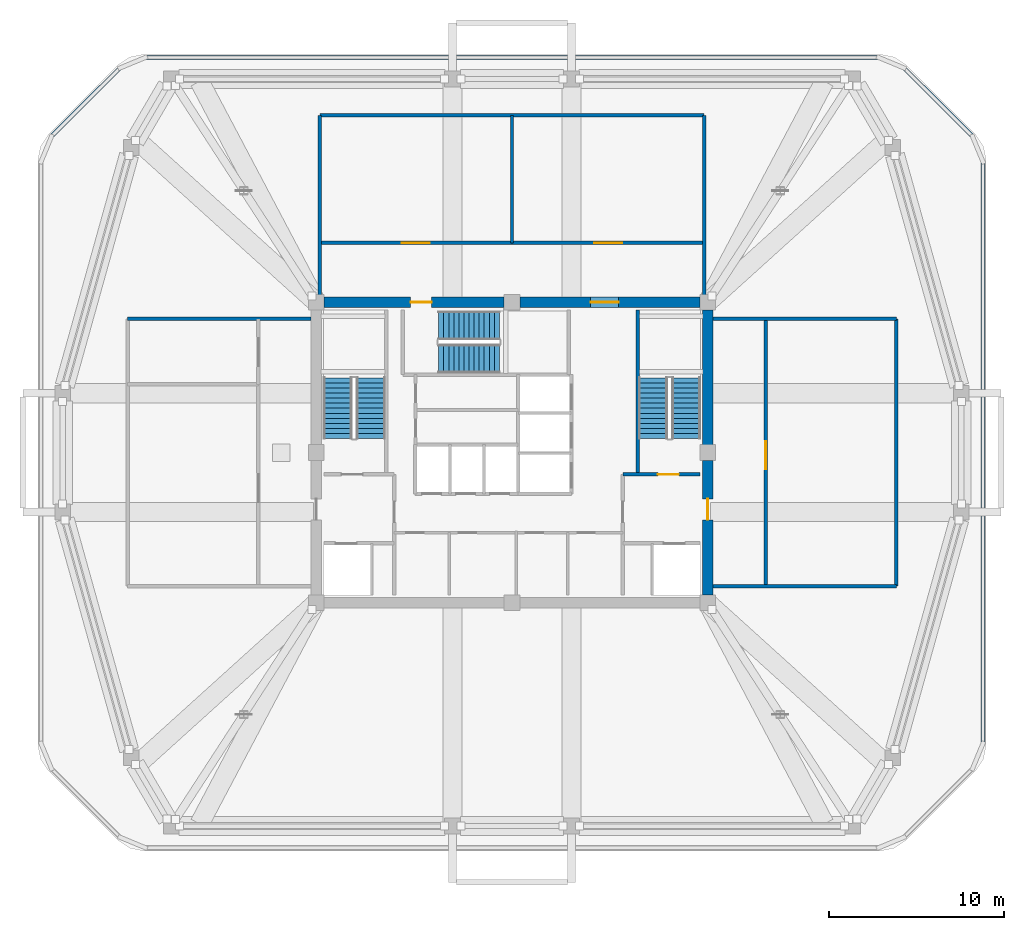
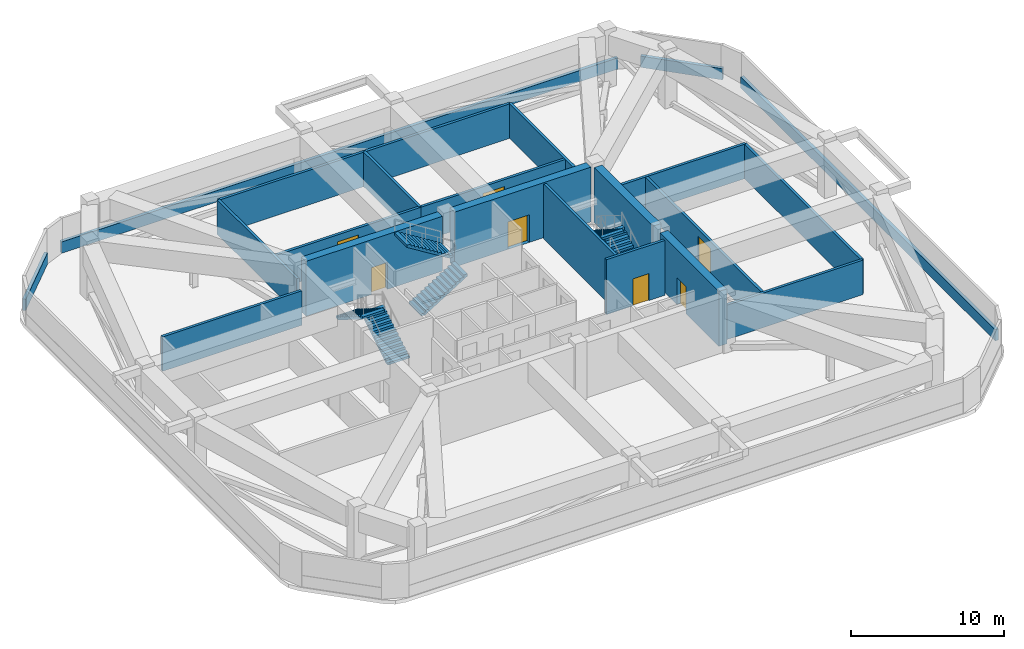
# One storey, part 5 of 9: 21 walls, 7 doors, 6 stair flights, 7 openings, 3 elements without a shape of their own.
"""IFC4 building model written with IfcOpenShell, lengths in metres."""

from ifc_helpers import new_model, si_unit, derived_unit, direction, frame, frame_2d, origin, place, context, subcontext, project, spatial, polyline, rectangle, outline, extrude, material, layer, layer_set, type_object, element, fill, aggregate, save


model = new_model("IFC4")

# Units and contexts
model_context = context("Model", 3, precision=1e-05, world=origin(), true_north=direction((0.0, 1.0)))
body_context = subcontext(model_context, "Body", "Model", "MODEL_VIEW")
ifc_project = project(units=[si_unit("LENGTHUNIT", "METRE"), si_unit("AREAUNIT", "SQUARE_METRE"), si_unit("VOLUMEUNIT", "CUBIC_METRE"), si_unit("PLANEANGLEUNIT", "RADIAN"), si_unit("MASSUNIT", "GRAM", prefix="KILO"), derived_unit("THERMALTRANSMITTANCEUNIT", [(si_unit("POWERUNIT", "WATT"), 1), (si_unit("LENGTHUNIT", "METRE"), -2), (si_unit("THERMODYNAMICTEMPERATUREUNIT", "KELVIN"), -1)])], contexts=[model_context])

# Site, building, storey
site_placement = place(None, origin())
site = spatial("IfcSite", under=ifc_project, at=site_placement, CompositionType="ELEMENT")
building_placement = place(site_placement, origin())
building = spatial("IfcBuilding", under=site, at=building_placement, Name="Koralith Skygarden Medical Center", CompositionType="ELEMENT")
storey_placement = place(building_placement, frame((0.0, 0.0, 232.3798828125)))
storey = spatial("IfcBuildingStorey", under=building, at=storey_placement, Name="L60", CompositionType="ELEMENT", Elevation=232.3798828125)

# Walls
ifc_material_1 = material(Name="Gypsum Board Partition")
ifc_layer_1 = layer(ifc_material_1, 0.199951171875)
ifc_layer_set_1 = layer_set([ifc_layer_1], Name="Gypsum Board Partition")
wall_type_1 = type_object("IfcWallType", Name="Fire Shaft Wall 200", PredefinedType="SOLIDWALL", material=ifc_layer_set_1)
for number, where, z_axis, x_axis, name in (
    (1, (26.0, 34.800048828125, 0.0), (0.0, 0.0, 1.0), (0.0, 1.0, 0.0), "L60 Fire Shaft Wall 200 W-PL-L60-NC-W"),
    (2, (48.0, 34.800048828125, 0.0), (0.0, 0.0, 1.0), (0.0, 1.0, 0.0), "L60 Fire Shaft Wall 200 W-PL-L60-NC-E"),
):
    element("IfcWall", number, at=place(storey_placement, frame(where, z_axis=z_axis, x_axis=x_axis)), inside=storey, type_object=wall_type_1, Name=name, PredefinedType="SOLIDWALL", context=body_context, shape_type="SweptSolid", body=[
        extrude(rectangle(XDim=10.39990234375, YDim=0.199951171875, at=frame_2d((5.199951171875, 0.0))), origin(), (0.0, 0.0, 1.0), 2.75),
    ])
wall_1_placement = place(storey_placement, frame((26.0, 45.199951171875, 0.0), z_axis=(0.0, 0.0, 1.0), x_axis=(1.0, 0.0, 0.0)))
element("IfcWall", 3, at=wall_1_placement, inside=storey, type_object=wall_type_1, Name="L60 Fire Shaft Wall 200 W-PL-L60-NP-N", PredefinedType="SOLIDWALL", context=body_context, shape_type="SweptSolid", body=[
    extrude(rectangle(XDim=22.0, YDim=0.199951171875, at=frame_2d((11.0, 0.0))), origin(), (0.0, 0.0, 1.0), 2.75),
])
wall_2_placement = place(storey_placement, frame((37.0, 37.89990234375, 0.0), z_axis=(0.0, 0.0, 1.0), x_axis=(0.0, 1.0, 0.0)))
element("IfcWall", 4, at=wall_2_placement, inside=storey, type_object=wall_type_1, Name="L60 Fire Shaft Wall 200 W-PL-L60-NP-M", PredefinedType="SOLIDWALL", context=body_context, shape_type="SweptSolid", body=[
    extrude(rectangle(XDim=7.300048828125, YDim=0.199951171875, at=frame_2d((3.64990234375, 0.0))), origin(), (0.0, 0.0, 1.0), 2.75),
])

# Wall, opening, door
wall_3_placement = place(storey_placement, frame((26.0, 37.89990234375, 0.0), z_axis=(0.0, 0.0, 1.0), x_axis=(1.0, 0.0, 0.0)))
wall_3 = element("IfcWall", 5, at=wall_3_placement, inside=storey, type_object=wall_type_1, Name="L60 Fire Shaft Wall 200 W-PL-L60-NC-N1", PredefinedType="SOLIDWALL", context=body_context, shape_type="SweptSolid", body=[
    extrude(rectangle(XDim=11.0, YDim=0.199951171875, at=frame_2d((5.5, 0.0))), origin(), (0.0, 0.0, 1.0), 2.75),
])
opening_1_placement = place(wall_3_placement, frame((4.699951171875, 0.0, 0.0)))
opening_1 = element("IfcOpeningElement", 6, at=opening_1_placement, cuts=wall_3, Name="Opening D-DBL", PredefinedType="OPENING", context=body_context, shape_type="SweptSolid", body=[
    extrude(rectangle(XDim=1.60009765625, YDim=2.199951171875, at=frame_2d((0.800048828125, 1.10009765625))), frame((0.0, 0.10986328125, 0.0), z_axis=(0.0, -1.0, 0.0), x_axis=(1.0, 0.0, 0.0)), (0.0, 0.0, 1.0), 0.219970703125),
])
ifc_material_2 = material(Name="Aluminium 6063-T6", Category="aluminium")
door_type_1 = type_object("IfcDoorType", Name="Double Clinical Suite Door D-DBL 1600", OperationType="NOTDEFINED", PredefinedType="DOOR", material=ifc_material_2)
door_1_placement = place(opening_1_placement, origin())
door_1 = element("IfcDoor", 7, at=door_1_placement, inside=storey, type_object=door_type_1, Name="L60 Central Chiller and Heat Rejection Plant Room Fire Door", OperationType="DOUBLE_DOOR_SINGLE_SWING", OverallHeight=2.199951171875, OverallWidth=1.60009765625, PredefinedType="DOOR", context=body_context, shape_type="SweptSolid", body=[
    extrude(rectangle(XDim=1.60009765625, YDim=2.199951171875, at=frame_2d((0.800048828125, 1.10009765625))), frame((0.0, 0.02490234375, 0.0), z_axis=(0.0, -1.0, 0.0), x_axis=(1.0, 0.0, 0.0)), (0.0, 0.0, 1.0), 0.050048828125),
])
fill(opening_1, door_1)

wall_4_placement = place(storey_placement, frame((37.0, 37.89990234375, 0.0), z_axis=(0.0, 0.0, 1.0), x_axis=(1.0, 0.0, 0.0)))
wall_4 = element("IfcWall", 8, at=wall_4_placement, inside=storey, type_object=wall_type_1, Name="L60 Fire Shaft Wall 200 W-PL-L60-NC-N2", PredefinedType="SOLIDWALL", context=body_context, shape_type="SweptSolid", body=[
    extrude(rectangle(XDim=11.0, YDim=0.199951171875, at=frame_2d((5.5, 0.0))), origin(), (0.0, 0.0, 1.0), 2.75),
])
opening_2_placement = place(wall_4_placement, frame((4.699951171875, 0.0, 0.0)))
opening_2 = element("IfcOpeningElement", 9, at=opening_2_placement, cuts=wall_4, Name="Opening D-DBL", PredefinedType="OPENING", context=body_context, shape_type="SweptSolid", body=[
    extrude(rectangle(XDim=1.60009765625, YDim=2.199951171875, at=frame_2d((0.800048828125, 1.10009765625))), frame((0.0, 0.10986328125, 0.0), z_axis=(0.0, -1.0, 0.0), x_axis=(1.0, 0.0, 0.0)), (0.0, 0.0, 1.0), 0.219970703125),
])
door_2_placement = place(opening_2_placement, origin())
door_2 = element("IfcDoor", 10, at=door_2_placement, inside=storey, type_object=door_type_1, Name="L60 Clinical AHU and Essential Switchgear Plant Room Fire Door", OperationType="DOUBLE_DOOR_SINGLE_SWING", OverallHeight=2.199951171875, OverallWidth=1.60009765625, PredefinedType="DOOR", context=body_context, shape_type="SweptSolid", body=[
    extrude(rectangle(XDim=1.60009765625, YDim=2.199951171875, at=frame_2d((0.800048828125, 1.10009765625))), frame((0.0, 0.02490234375, 0.0), z_axis=(0.0, -1.0, 0.0), x_axis=(1.0, 0.0, 0.0)), (0.0, 0.0, 1.0), 0.050048828125),
])
fill(opening_2, door_2)

# Walls
for number, where, z_axis, x_axis, name in (
    (11, (15.0, 33.550048828125, 0.0), (0.0, 0.0, 1.0), (1.0, 0.0, 0.0), "L60 Fire Shaft Wall 200 W-PL-L60-WC-N"),
    (12, (48.5, 18.25, 0.0), (0.0, 0.0, 1.0), (1.0, 0.0, 0.0), "L60 Fire Shaft Wall 200 W-PL-L60-EC-S"),
    (13, (48.5, 33.550048828125, 0.0), (0.0, 0.0, 1.0), (1.0, 0.0, 0.0), "L60 Fire Shaft Wall 200 W-PL-L60-EC-N"),
):
    element("IfcWall", number, at=place(storey_placement, frame(where, z_axis=z_axis, x_axis=x_axis)), inside=storey, type_object=wall_type_1, Name=name, PredefinedType="SOLIDWALL", context=body_context, shape_type="SweptSolid", body=[
        extrude(rectangle(XDim=10.5, YDim=0.199951171875, at=frame_2d((5.25, 0.0))), origin(), (0.0, 0.0, 1.0), 2.75),
    ])
wall_5_placement = place(storey_placement, frame((59.0, 18.25, 0.0), z_axis=(0.0, 0.0, 1.0), x_axis=(0.0, 1.0, 0.0)))
element("IfcWall", 14, at=wall_5_placement, inside=storey, type_object=wall_type_1, Name="L60 Fire Shaft Wall 200 W-PL-L60-EP-E", PredefinedType="SOLIDWALL", context=body_context, shape_type="SweptSolid", body=[
    extrude(rectangle(XDim=15.300048828125, YDim=0.199951171875, at=frame_2d((7.64990234375, 0.0))), origin(), (0.0, 0.0, 1.0), 2.75),
])

# Wall, opening, door
wall_6_placement = place(storey_placement, frame((51.52001953125, 18.25, 0.0), z_axis=(0.0, 0.0, 1.0), x_axis=(0.0, 1.0, 0.0)))
wall_6 = element("IfcWall", 15, at=wall_6_placement, inside=storey, type_object=wall_type_1, Name="L60 Fire Shaft Wall 200 W-PL-L60-EC-E1", PredefinedType="SOLIDWALL", context=body_context, shape_type="SweptSolid", body=[
    extrude(rectangle(XDim=15.300048828125, YDim=0.199951171875, at=frame_2d((7.64990234375, 0.0))), origin(), (0.0, 0.0, 1.0), 2.75),
])
opening_3_placement = place(wall_6_placement, frame((6.699951171875, 0.0, 0.0)))
opening_3 = element("IfcOpeningElement", 16, at=opening_3_placement, cuts=wall_6, Name="Opening D-DBL", PredefinedType="OPENING", context=body_context, shape_type="SweptSolid", body=[
    extrude(rectangle(XDim=1.60009765625, YDim=2.199951171875, at=frame_2d((0.800048828125, 1.10009765625))), frame((0.0, 0.10986328125, 0.0), z_axis=(0.0, -1.0, 0.0), x_axis=(1.0, 0.0, 0.0)), (0.0, 0.0, 1.0), 0.219970703125),
])
door_3_placement = place(opening_3_placement, origin())
door_3 = element("IfcDoor", 17, at=door_3_placement, inside=storey, type_object=door_type_1, Name="L60 East Pressurized Smoke Refuge Area Fire Door", OperationType="DOUBLE_DOOR_SINGLE_SWING", OverallHeight=2.199951171875, OverallWidth=1.60009765625, PredefinedType="DOOR", context=body_context, shape_type="SweptSolid", body=[
    extrude(rectangle(XDim=1.60009765625, YDim=2.199951171875, at=frame_2d((0.800048828125, 1.10009765625))), frame((0.0, 0.02490234375, 0.0), z_axis=(0.0, -1.0, 0.0), x_axis=(1.0, 0.0, 0.0)), (0.0, 0.0, 1.0), 0.050048828125),
])
fill(opening_3, door_3)

# Walls
ifc_material_3 = material(Name="Warm Oolitic Limestone Cladding", Category="masonry")
ifc_layer_2 = layer(ifc_material_3, 0.239990234375)
ifc_layer_set_2 = layer_set([ifc_layer_2], Name="Warm Oolitic Limestone Cladding")
wall_type_2 = type_object("IfcWallType", Name="Limestone Spandrel Sill Backup Wall 240", PredefinedType="SOLIDWALL", material=ifc_layer_set_2)
wall_7_placement = place(storey_placement, frame((63.9619140625, 9.2548828125, 0.0), z_axis=(0.0, 0.0, 1.0), x_axis=(0.0, 1.0, 0.0)))
element("IfcWall", 18, at=wall_7_placement, inside=storey, type_object=wall_type_2, Name="L60 Plant Sill Backup Wall E", PredefinedType="SOLIDWALL", context=body_context, shape_type="SweptSolid", body=[
    extrude(rectangle(XDim=33.2900390625, YDim=0.239990234375, at=frame_2d((16.64501953125, 0.0))), origin(), (0.0, 0.0, 1.0), 0.900146484375),
])
wall_8_placement = place(storey_placement, frame((63.361083984375, 43.99609375, 0.0), z_axis=(0.0, 0.0, 1.0), x_axis=(-0.707128783731, 0.707084777957, 0.0)))
element("IfcWall", 19, at=wall_8_placement, inside=storey, type_object=wall_type_2, Name="L60 Plant Sill Backup Wall NE", PredefinedType="SOLIDWALL", context=body_context, shape_type="SweptSolid", body=[
    extrude(rectangle(XDim=5.5478515625, YDim=0.239990234375, at=frame_2d((2.77392578125, 0.0))), origin(), (0.0, 0.0, 1.0), 0.900146484375),
])
wall_9_placement = place(storey_placement, frame((57.987060546875, 48.52001953125, 0.0), z_axis=(0.0, 0.0, 1.0), x_axis=(-1.0, 0.0, 0.0)))
element("IfcWall", 20, at=wall_9_placement, inside=storey, type_object=wall_type_2, Name="L60 Plant Sill Backup Wall N", PredefinedType="SOLIDWALL", context=body_context, shape_type="SweptSolid", body=[
    extrude(rectangle(XDim=41.97412109375, YDim=0.239990234375, at=frame_2d((20.987060546875, 0.0))), origin(), (0.0, 0.0, 1.0), 0.900146484375),
])
wall_10_placement = place(storey_placement, frame((14.56201171875, 47.9189453125, 0.0), z_axis=(0.0, 0.0, 1.0), x_axis=(-0.707128783731, -0.707084777957, 0.0)))
element("IfcWall", 21, at=wall_10_placement, inside=storey, type_object=wall_type_2, Name="L60 Plant Sill Backup Wall NW", PredefinedType="SOLIDWALL", context=body_context, shape_type="SweptSolid", body=[
    extrude(rectangle(XDim=5.5478515625, YDim=0.239990234375, at=frame_2d((2.77392578125, 0.0))), origin(), (0.0, 0.0, 1.0), 0.900146484375),
])
ifc_material_4 = material(Name="Concrete C45/55", Category="concrete")
ifc_layer_3 = layer(ifc_material_4, 0.199951171875)
ifc_layer_set_3 = layer_set([ifc_layer_3], Name="Concrete C45/55")
wall_type_3 = type_object("IfcWallType", Name="Structural Stair Shaft Wall 200", PredefinedType="SHEAR", material=ifc_layer_set_3)
wall_11_placement = place(storey_placement, frame((44.199951171875, 24.64990234375, 0.0), z_axis=(0.0, 0.0, 1.0), x_axis=(0.0, 1.0, 0.0)))
element("IfcWall", 22, at=wall_11_placement, inside=storey, type_object=wall_type_3, Name="L60 Structural Stair Shaft Wall 200 W-CORE-L60-ST2-W", PredefinedType="SHEAR", context=body_context, shape_type="SweptSolid", body=[
    extrude(rectangle(XDim=9.400146484375, YDim=0.199951171875, at=frame_2d((4.7001953125, 0.0))), origin(), (0.0, 0.0, 1.0), 4.380126953125),
])

# Wall, opening, door
wall_12_placement = place(storey_placement, frame((43.35009765625, 24.64990234375, 0.0), z_axis=(0.0, 0.0, 1.0), x_axis=(1.0, 0.0, 0.0)))
wall_12 = element("IfcWall", 23, at=wall_12_placement, inside=storey, type_object=wall_type_3, Name="L60 Structural Stair Shaft Wall 200 W-CORE-L60-ST2-S", PredefinedType="SHEAR", context=body_context, shape_type="SweptSolid", body=[
    extrude(rectangle(XDim=4.39990234375, YDim=0.199951171875, at=frame_2d((2.199951171875, 0.0))), origin(), (0.0, 0.0, 1.0), 4.380126953125),
])
opening_4_placement = place(wall_12_placement, frame((2.0, 0.0, 0.0)))
opening_4 = element("IfcOpeningElement", 24, at=opening_4_placement, cuts=wall_12, Name="Opening D-ST60", PredefinedType="OPENING", context=body_context, shape_type="SweptSolid", body=[
    extrude(rectangle(XDim=1.199951171875, YDim=2.14990234375, at=frame_2d((0.60009765625, 1.074951171875))), frame((0.0, 0.10986328125, 0.0), z_axis=(0.0, -1.0, 0.0), x_axis=(1.0, 0.0, 0.0)), (0.0, 0.0, 1.0), 0.219970703125),
])
ifc_material_5 = material(Name="Steel ASTM A500 Grade C", Category="steel")
door_type_2 = type_object("IfcDoorType", Name="Smokeproof Stair Fire Door FD60S 1200", OperationType="NOTDEFINED", PredefinedType="DOOR", material=ifc_material_5)
door_4_placement = place(opening_4_placement, origin())
door_4 = element("IfcDoor", 25, at=door_4_placement, inside=storey, type_object=door_type_2, Name="L60 Exit Stair ST2 Fire Door", OperationType="SINGLE_SWING_RIGHT", OverallHeight=2.14990234375, OverallWidth=1.199951171875, PredefinedType="DOOR", context=body_context, shape_type="SweptSolid", body=[
    extrude(rectangle(XDim=1.199951171875, YDim=2.14990234375, at=frame_2d((0.60009765625, 1.074951171875))), frame((0.0, 0.02490234375, 0.0), z_axis=(0.0, -1.0, 0.0), x_axis=(1.0, 0.0, 0.0)), (0.0, 0.0, 1.0), 0.050048828125),
])
fill(opening_4, door_4)

ifc_material_6 = material(Name="Concrete C55/67", Category="concrete")
ifc_layer_4 = layer(ifc_material_6, 0.60009765625)
ifc_layer_set_4 = layer_set([ifc_layer_4], Name="Concrete C55/67")
wall_type_4 = type_object("IfcWallType", Name="Upper Core Shear Wall 600", PredefinedType="SHEAR", material=ifc_layer_set_4)
wall_13_placement = place(storey_placement, frame((48.199951171875, 17.7451171875, 0.0), z_axis=(0.0, 0.0, 1.0), x_axis=(0.0, 1.0, 0.0)))
wall_13 = element("IfcWall", 26, at=wall_13_placement, inside=storey, type_object=wall_type_4, Name="L60 Core Shear Wall Segment 3", PredefinedType="SHEAR", context=body_context, shape_type="SweptSolid", body=[
    extrude(rectangle(XDim=7.7099609375, YDim=0.60009765625, at=frame_2d((3.85498046875, 0.0))), origin(), (0.0, 0.0, 1.0), 4.380126953125),
])
opening_5_placement = place(wall_13_placement, frame((4.304931640625, 0.0, 0.0)))
opening_5 = element("IfcOpeningElement", 27, at=opening_5_placement, cuts=wall_13, Name="Opening D-ST60", PredefinedType="OPENING", context=body_context, shape_type="SweptSolid", body=[
    extrude(rectangle(XDim=1.199951171875, YDim=2.14990234375, at=frame_2d((0.60009765625, 1.074951171875))), frame((0.0, 0.31005859375, 0.0), z_axis=(0.0, -1.0, 0.0), x_axis=(1.0, 0.0, 0.0)), (0.0, 0.0, 1.0), 0.6201171875),
])
door_5_placement = place(opening_5_placement, frame((1.199951171875, 0.0, 0.0), z_axis=(0.0, 0.0, 1.0), x_axis=(-1.0, 0.0, 0.0)))
door_5 = element("IfcDoor", 28, at=door_5_placement, inside=storey, type_object=door_type_2, Name="L60 East Corridor to Firefighting Lobby Door", OperationType="SINGLE_SWING_RIGHT", OverallHeight=2.14990234375, OverallWidth=1.199951171875, PredefinedType="DOOR", context=body_context, shape_type="SweptSolid", body=[
    extrude(rectangle(XDim=1.199951171875, YDim=2.14990234375, at=frame_2d((0.60009765625, 1.074951171875))), frame((0.0, 0.02490234375, 0.0), z_axis=(0.0, -1.0, 0.0), x_axis=(1.0, 0.0, 0.0)), (0.0, 0.0, 1.0), 0.050048828125),
])
fill(opening_5, door_5)

# Wall
wall_14_placement = place(storey_placement, frame((48.199951171875, 26.344970703125, 0.0), z_axis=(0.0, 0.0, 1.0), x_axis=(0.0, 1.0, 0.0)))
element("IfcWall", 29, at=wall_14_placement, inside=storey, type_object=wall_type_4, Name="L60 Core Shear Wall Segment 4", PredefinedType="SHEAR", context=body_context, shape_type="SweptSolid", body=[
    extrude(rectangle(XDim=7.7099609375, YDim=0.60009765625, at=frame_2d((3.85498046875, 0.0))), origin(), (0.0, 0.0, 1.0), 4.380126953125),
])

# Wall, opening, door
wall_15_placement = place(storey_placement, frame((47.7548828125, 34.5, 0.0), z_axis=(0.0, 0.0, 1.0), x_axis=(-1.0, 0.0, 0.0)))
wall_15 = element("IfcWall", 30, at=wall_15_placement, inside=storey, type_object=wall_type_4, Name="L60 Core Shear Wall Segment 5", PredefinedType="SHEAR", context=body_context, shape_type="SweptSolid", body=[
    extrude(rectangle(XDim=10.309814453125, YDim=0.60009765625, at=frame_2d((5.15478515625, 0.0))), origin(), (0.0, 0.0, 1.0), 4.380126953125),
])
opening_6_placement = place(wall_15_placement, frame((4.655029296875, 0.0, 0.0)))
opening_6 = element("IfcOpeningElement", 31, at=opening_6_placement, cuts=wall_15, Name="Opening D-DBL", PredefinedType="OPENING", context=body_context, shape_type="SweptSolid", body=[
    extrude(rectangle(XDim=1.60009765625, YDim=2.199951171875, at=frame_2d((0.800048828125, 1.10009765625))), frame((0.0, 0.31005859375, 0.0), z_axis=(0.0, -1.0, 0.0), x_axis=(1.0, 0.0, 0.0)), (0.0, 0.0, 1.0), 0.6201171875),
])
door_6_placement = place(opening_6_placement, frame((1.60009765625, 0.0, 0.0), z_axis=(0.0, 0.0, 1.0), x_axis=(-1.0, 0.0, 0.0)))
door_6 = element("IfcDoor", 32, at=door_6_placement, inside=storey, type_object=door_type_1, Name="L60 North-East Corridor to Elevator Lobby Door", OperationType="DOUBLE_DOOR_SINGLE_SWING", OverallHeight=2.199951171875, OverallWidth=1.60009765625, PredefinedType="DOOR", context=body_context, shape_type="SweptSolid", body=[
    extrude(rectangle(XDim=1.60009765625, YDim=2.199951171875, at=frame_2d((0.800048828125, 1.10009765625))), frame((0.0, 0.02490234375, 0.0), z_axis=(0.0, -1.0, 0.0), x_axis=(1.0, 0.0, 0.0)), (0.0, 0.0, 1.0), 0.050048828125),
])
fill(opening_6, door_6)

wall_16_placement = place(storey_placement, frame((36.554931640625, 34.5, 0.0), z_axis=(0.0, 0.0, 1.0), x_axis=(-1.0, 0.0, 0.0)))
wall_16 = element("IfcWall", 33, at=wall_16_placement, inside=storey, type_object=wall_type_4, Name="L60 Core Shear Wall Segment 6", PredefinedType="SHEAR", context=body_context, shape_type="SweptSolid", body=[
    extrude(rectangle(XDim=10.309814453125, YDim=0.60009765625, at=frame_2d((5.15478515625, 0.0))), origin(), (0.0, 0.0, 1.0), 4.380126953125),
])
opening_7_placement = place(wall_16_placement, frame((4.155029296875, 0.0, 0.0)))
opening_7 = element("IfcOpeningElement", 34, at=opening_7_placement, cuts=wall_16, Name="Opening D-ST60", PredefinedType="OPENING", context=body_context, shape_type="SweptSolid", body=[
    extrude(rectangle(XDim=1.199951171875, YDim=2.14990234375, at=frame_2d((0.60009765625, 1.074951171875))), frame((0.0, 0.31005859375, 0.0), z_axis=(0.0, -1.0, 0.0), x_axis=(1.0, 0.0, 0.0)), (0.0, 0.0, 1.0), 0.6201171875),
])
door_7_placement = place(opening_7_placement, frame((1.199951171875, 0.0, 0.0), z_axis=(0.0, 0.0, 1.0), x_axis=(-1.0, 0.0, 0.0)))
door_7 = element("IfcDoor", 35, at=door_7_placement, inside=storey, type_object=door_type_2, Name="L60 Exit Stair ST3 Fire Door", OperationType="SINGLE_SWING_LEFT", OverallHeight=2.14990234375, OverallWidth=1.199951171875, PredefinedType="DOOR", context=body_context, shape_type="SweptSolid", body=[
    extrude(rectangle(XDim=1.199951171875, YDim=2.14990234375, at=frame_2d((0.60009765625, 1.074951171875))), frame((0.0, 0.02490234375, 0.0), z_axis=(0.0, -1.0, 0.0), x_axis=(1.0, 0.0, 0.0)), (0.0, 0.0, 1.0), 0.050048828125),
])
fill(opening_7, door_7)

# Stair, stair flights
stair_type = type_object("IfcStairType", Name="Core Exit Dogleg Concrete Stair", PredefinedType="HALF_TURN_STAIR", material=ifc_material_4)
stair_1_placement = place(storey_placement, origin())
stair_1 = element("IfcStair", 36, at=stair_1_placement, inside=storey, type_object=stair_type, Name="L60 Smokeproof Exit Stair ST1", PredefinedType="HALF_TURN_STAIR")
stair_flight_type = type_object("IfcStairFlightType", Name="Core Exit Concrete Stair Flight 1650", PredefinedType="STRAIGHT", material=ifc_material_4)
stair_flight_1_placement = place(storey_placement, frame((28.925048828125, 26.699951171875, 0.0), z_axis=(0.0, 0.0, 1.0), x_axis=(0.0, 1.0, 0.0)))
stair_flight_1 = element("IfcStairFlight", 37, at=stair_flight_1_placement, type_object=stair_flight_type, Name="ST1 flight 1", NumberOfRisers=13, NumberOfTreads=12, PredefinedType="STRAIGHT", RiserHeight=0.18, TreadLength=0.29, context=body_context, shape_type="SweptSolid", body=[
    extrude(outline(polyline([(0.0, 0.0), (0.0, 0.179931640625), (0.2900390625, 0.179931640625), (0.2900390625, 0.360107421875), (0.580078125, 0.360107421875), (0.580078125, 0.5400390625), (0.8701171875, 0.5400390625), (0.8701171875, 0.719970703125), (1.159912109375, 0.719970703125), (1.159912109375, 0.89990234375), (1.449951171875, 0.89990234375), (1.449951171875, 1.080078125), (1.739990234375, 1.080078125), (1.739990234375, 1.260009765625), (2.030029296875, 1.260009765625), (2.030029296875, 1.43994140625), (2.320068359375, 1.43994140625), (2.320068359375, 1.6201171875), (2.610107421875, 1.6201171875), (2.610107421875, 1.800048828125), (2.89990234375, 1.800048828125), (2.89990234375, 1.97998046875), (3.18994140625, 1.97998046875), (3.18994140625, 2.159912109375), (3.47998046875, 2.159912109375), (3.47998046875, 2.340087890625), (3.47998046875, 1.983642578125), (0.2841796875, 0.0), (0.0, 0.0)])), frame((0.0, 0.824951171875, 0.0), z_axis=(0.0, -1.0, 0.0), x_axis=(1.0, 0.0, 0.0)), (0.0, 0.0, 1.0), 1.64990234375),
])
stair_flight_2_placement = place(storey_placement, frame((27.02490234375, 30.179931640625, 2.340087890625), z_axis=(0.0, 0.0, 1.0), x_axis=(0.0, -1.0, 0.0)))
stair_flight_2 = element("IfcStairFlight", 38, at=stair_flight_2_placement, type_object=stair_flight_type, Name="ST1 flight 2", NumberOfRisers=13, NumberOfTreads=12, PredefinedType="STRAIGHT", RiserHeight=0.18, TreadLength=0.29, context=body_context, shape_type="SweptSolid", body=[
    extrude(outline(polyline([(0.0, 0.0), (0.0, 0.179931640625), (0.2900390625, 0.179931640625), (0.2900390625, 0.360107421875), (0.580078125, 0.360107421875), (0.580078125, 0.5400390625), (0.8701171875, 0.5400390625), (0.8701171875, 0.719970703125), (1.159912109375, 0.719970703125), (1.159912109375, 0.89990234375), (1.449951171875, 0.89990234375), (1.449951171875, 1.080078125), (1.739990234375, 1.080078125), (1.739990234375, 1.260009765625), (2.030029296875, 1.260009765625), (2.030029296875, 1.43994140625), (2.320068359375, 1.43994140625), (2.320068359375, 1.6201171875), (2.610107421875, 1.6201171875), (2.610107421875, 1.800048828125), (2.89990234375, 1.800048828125), (2.89990234375, 1.97998046875), (3.18994140625, 1.97998046875), (3.18994140625, 2.159912109375), (3.47998046875, 2.159912109375), (3.47998046875, 2.340087890625), (3.47998046875, 1.983642578125), (0.2841796875, 0.0), (0.0, 0.0)])), frame((0.0, 0.824951171875, 0.0), z_axis=(0.0, -1.0, 0.0), x_axis=(1.0, 0.0, 0.0)), (0.0, 0.0, 1.0), 1.64990234375),
])
aggregate(stair_1, [stair_flight_1, stair_flight_2])

stair_2_placement = place(storey_placement, origin())
stair_2 = element("IfcStair", 39, at=stair_2_placement, inside=storey, type_object=stair_type, Name="L60 Smokeproof Exit Stair ST2", PredefinedType="HALF_TURN_STAIR")
stair_flight_3_placement = place(storey_placement, frame((46.97509765625, 26.699951171875, 0.0), z_axis=(0.0, 0.0, 1.0), x_axis=(0.0, 1.0, 0.0)))
stair_flight_3 = element("IfcStairFlight", 40, at=stair_flight_3_placement, type_object=stair_flight_type, Name="ST2 flight 1", NumberOfRisers=13, NumberOfTreads=12, PredefinedType="STRAIGHT", RiserHeight=0.18, TreadLength=0.29, context=body_context, shape_type="SweptSolid", body=[
    extrude(outline(polyline([(0.0, 0.0), (0.0, 0.179931640625), (0.2900390625, 0.179931640625), (0.2900390625, 0.360107421875), (0.580078125, 0.360107421875), (0.580078125, 0.5400390625), (0.8701171875, 0.5400390625), (0.8701171875, 0.719970703125), (1.159912109375, 0.719970703125), (1.159912109375, 0.89990234375), (1.449951171875, 0.89990234375), (1.449951171875, 1.080078125), (1.739990234375, 1.080078125), (1.739990234375, 1.260009765625), (2.030029296875, 1.260009765625), (2.030029296875, 1.43994140625), (2.320068359375, 1.43994140625), (2.320068359375, 1.6201171875), (2.610107421875, 1.6201171875), (2.610107421875, 1.800048828125), (2.89990234375, 1.800048828125), (2.89990234375, 1.97998046875), (3.18994140625, 1.97998046875), (3.18994140625, 2.159912109375), (3.47998046875, 2.159912109375), (3.47998046875, 2.340087890625), (3.47998046875, 1.983642578125), (0.2841796875, 0.0), (0.0, 0.0)])), frame((0.0, 0.824951171875, 0.0), z_axis=(0.0, -1.0, 0.0), x_axis=(1.0, 0.0, 0.0)), (0.0, 0.0, 1.0), 1.64990234375),
])
stair_flight_4_placement = place(storey_placement, frame((45.074951171875, 30.179931640625, 2.340087890625), z_axis=(0.0, 0.0, 1.0), x_axis=(0.0, -1.0, 0.0)))
stair_flight_4 = element("IfcStairFlight", 41, at=stair_flight_4_placement, type_object=stair_flight_type, Name="ST2 flight 2", NumberOfRisers=13, NumberOfTreads=12, PredefinedType="STRAIGHT", RiserHeight=0.18, TreadLength=0.29, context=body_context, shape_type="SweptSolid", body=[
    extrude(outline(polyline([(0.0, 0.0), (0.0, 0.179931640625), (0.2900390625, 0.179931640625), (0.2900390625, 0.360107421875), (0.580078125, 0.360107421875), (0.580078125, 0.5400390625), (0.8701171875, 0.5400390625), (0.8701171875, 0.719970703125), (1.159912109375, 0.719970703125), (1.159912109375, 0.89990234375), (1.449951171875, 0.89990234375), (1.449951171875, 1.080078125), (1.739990234375, 1.080078125), (1.739990234375, 1.260009765625), (2.030029296875, 1.260009765625), (2.030029296875, 1.43994140625), (2.320068359375, 1.43994140625), (2.320068359375, 1.6201171875), (2.610107421875, 1.6201171875), (2.610107421875, 1.800048828125), (2.89990234375, 1.800048828125), (2.89990234375, 1.97998046875), (3.18994140625, 1.97998046875), (3.18994140625, 2.159912109375), (3.47998046875, 2.159912109375), (3.47998046875, 2.340087890625), (3.47998046875, 1.983642578125), (0.2841796875, 0.0), (0.0, 0.0)])), frame((0.0, 0.824951171875, 0.0), z_axis=(0.0, -1.0, 0.0), x_axis=(1.0, 0.0, 0.0)), (0.0, 0.0, 1.0), 1.64990234375),
])
aggregate(stair_2, [stair_flight_3, stair_flight_4])

stair_3_placement = place(storey_placement, origin())
stair_3 = element("IfcStair", 42, at=stair_3_placement, inside=storey, type_object=stair_type, Name="L60 Smokeproof Exit Stair ST3", PredefinedType="HALF_TURN_STAIR")
stair_flight_5_placement = place(storey_placement, frame((32.800048828125, 31.27490234375, 0.0), z_axis=(0.0, 0.0, 1.0), x_axis=(1.0, 0.0, 0.0)))
stair_flight_5 = element("IfcStairFlight", 43, at=stair_flight_5_placement, type_object=stair_flight_type, Name="ST3 flight 1", NumberOfRisers=13, NumberOfTreads=12, PredefinedType="STRAIGHT", RiserHeight=0.18, TreadLength=0.29, context=body_context, shape_type="SweptSolid", body=[
    extrude(outline(polyline([(0.0, 0.0), (0.0, 0.179931640625), (0.2900390625, 0.179931640625), (0.2900390625, 0.360107421875), (0.580078125, 0.360107421875), (0.580078125, 0.5400390625), (0.8701171875, 0.5400390625), (0.8701171875, 0.719970703125), (1.159912109375, 0.719970703125), (1.159912109375, 0.89990234375), (1.449951171875, 0.89990234375), (1.449951171875, 1.080078125), (1.739990234375, 1.080078125), (1.739990234375, 1.260009765625), (2.030029296875, 1.260009765625), (2.030029296875, 1.43994140625), (2.320068359375, 1.43994140625), (2.320068359375, 1.6201171875), (2.610107421875, 1.6201171875), (2.610107421875, 1.800048828125), (2.89990234375, 1.800048828125), (2.89990234375, 1.97998046875), (3.18994140625, 1.97998046875), (3.18994140625, 2.159912109375), (3.47998046875, 2.159912109375), (3.47998046875, 2.340087890625), (3.47998046875, 1.983642578125), (0.2841796875, 0.0), (0.0, 0.0)])), frame((0.0, 0.824951171875, 0.0), z_axis=(0.0, -1.0, 0.0), x_axis=(1.0, 0.0, 0.0)), (0.0, 0.0, 1.0), 1.64990234375),
])
stair_flight_6_placement = place(storey_placement, frame((36.280029296875, 33.175048828125, 2.340087890625), z_axis=(0.0, 0.0, 1.0), x_axis=(-1.0, 0.0, 0.0)))
stair_flight_6 = element("IfcStairFlight", 44, at=stair_flight_6_placement, type_object=stair_flight_type, Name="ST3 flight 2", NumberOfRisers=13, NumberOfTreads=12, PredefinedType="STRAIGHT", RiserHeight=0.18, TreadLength=0.29, context=body_context, shape_type="SweptSolid", body=[
    extrude(outline(polyline([(0.0, 0.0), (0.0, 0.179931640625), (0.2900390625, 0.179931640625), (0.2900390625, 0.360107421875), (0.580078125, 0.360107421875), (0.580078125, 0.5400390625), (0.8701171875, 0.5400390625), (0.8701171875, 0.719970703125), (1.159912109375, 0.719970703125), (1.159912109375, 0.89990234375), (1.449951171875, 0.89990234375), (1.449951171875, 1.080078125), (1.739990234375, 1.080078125), (1.739990234375, 1.260009765625), (2.030029296875, 1.260009765625), (2.030029296875, 1.43994140625), (2.320068359375, 1.43994140625), (2.320068359375, 1.6201171875), (2.610107421875, 1.6201171875), (2.610107421875, 1.800048828125), (2.89990234375, 1.800048828125), (2.89990234375, 1.97998046875), (3.18994140625, 1.97998046875), (3.18994140625, 2.159912109375), (3.47998046875, 2.159912109375), (3.47998046875, 2.340087890625), (3.47998046875, 1.983642578125), (0.2841796875, 0.0), (0.0, 0.0)])), frame((0.0, 0.824951171875, 0.0), z_axis=(0.0, -1.0, 0.0), x_axis=(1.0, 0.0, 0.0)), (0.0, 0.0, 1.0), 1.64990234375),
])
aggregate(stair_3, [stair_flight_5, stair_flight_6])

save(model, "model.ifc")
